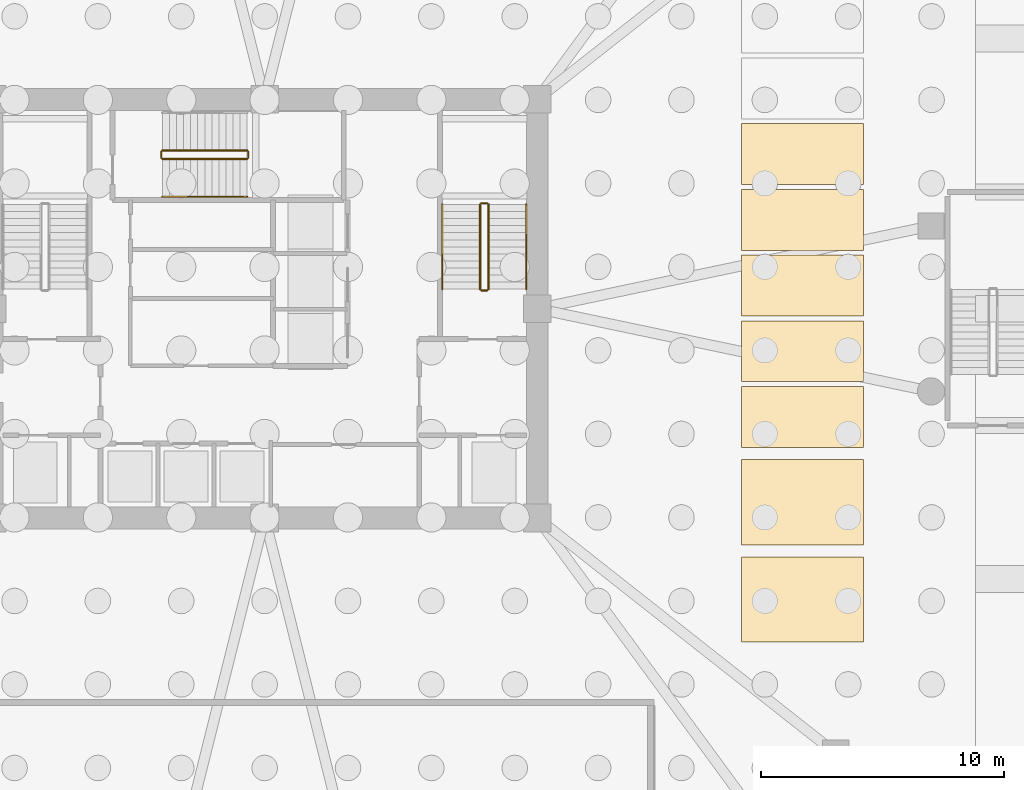
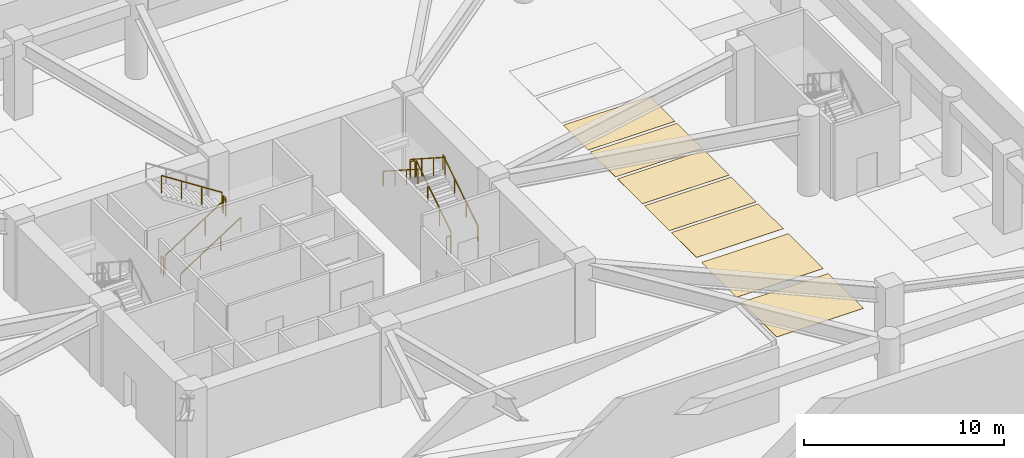
# One storey, part 8 of 11: 11 railings, 7 coverings.
"""IFC4 building model written with IfcOpenShell, lengths in metres."""

from ifc_helpers import new_model, si_unit, derived_unit, direction, frame, origin, origin_2d, place, context, subcontext, project, spatial, polyline, rectangle, outline, extrude, material, layer, layer_set, type_object, element, save


model = new_model("IFC4")

# Units and contexts
model_context = context("Model", 3, precision=1e-05, world=origin(), true_north=direction((0.0, 1.0)))
body_context = subcontext(model_context, "Body", "Model", "MODEL_VIEW")
ifc_project = project(units=[si_unit("LENGTHUNIT", "METRE"), si_unit("AREAUNIT", "SQUARE_METRE"), si_unit("VOLUMEUNIT", "CUBIC_METRE"), si_unit("PLANEANGLEUNIT", "RADIAN"), si_unit("MASSUNIT", "GRAM", prefix="KILO"), derived_unit("THERMALTRANSMITTANCEUNIT", [(si_unit("POWERUNIT", "WATT"), 1), (si_unit("LENGTHUNIT", "METRE"), -2), (si_unit("THERMODYNAMICTEMPERATUREUNIT", "KELVIN"), -1)])], contexts=[model_context])

# Site, building, storey
site_placement = place(None, origin())
site = spatial("IfcSite", under=ifc_project, at=site_placement, CompositionType="ELEMENT")
building_placement = place(site_placement, origin())
building = spatial("IfcBuilding", under=site, at=building_placement, Name="Koralith Skygarden Medical Center", CompositionType="ELEMENT")
storey_placement = place(building_placement, frame((0.0, 0.0, -9.719970703125)))
storey = spatial("IfcBuildingStorey", under=building, at=storey_placement, Name="B2", CompositionType="ELEMENT", Elevation=-9.719970703125)

# Coverings
ifc_material_1 = material(Name="Medical Terrazzo Flooring")
ifc_layer_1 = layer(ifc_material_1, 0.008056640625)
ifc_layer_set_1 = layer_set([ifc_layer_1], Name="Medical Terrazzo Flooring")
covering_type_1 = type_object("IfcCoveringType", Name="Accessible Van Parking Bay Marking 3500x5000", PredefinedType="FLOORING", material=ifc_layer_set_1)
covering_1_placement = place(storey_placement, origin())
element("IfcCovering", 1, at=covering_1_placement, inside=storey, type_object=covering_type_1, Name="B2 Accessible Parking Bay A-01", PredefinedType="FLOORING", context=body_context, shape_type="SweptSolid", body=[
    extrude(outline(polyline([(56.60009765625, 12.199951171875), (61.60009765625, 12.199951171875), (61.60009765625, 15.699951171875), (56.60009765625, 15.699951171875), (56.60009765625, 12.199951171875)])), origin(), (0.0, 0.0, 1.0), 0.008056640625),
])
covering_2_placement = place(storey_placement, origin())
element("IfcCovering", 2, at=covering_2_placement, inside=storey, type_object=covering_type_1, Name="B2 Accessible Parking Bay A-02", PredefinedType="FLOORING", context=body_context, shape_type="SweptSolid", body=[
    extrude(outline(polyline([(56.60009765625, 16.199951171875), (61.60009765625, 16.199951171875), (61.60009765625, 19.699951171875), (56.60009765625, 19.699951171875), (56.60009765625, 16.199951171875)])), origin(), (0.0, 0.0, 1.0), 0.008056640625),
])

# Railings
ifc_material_2 = material(Name="Steel ASTM A500 Grade C", Category="steel")
railing_type_1 = type_object("IfcRailingType", Name="Stair Flight Tubular Handrail 920", PredefinedType="HANDRAIL", material=ifc_material_2)
railing_1_placement = place(storey_placement, frame((47.75, 26.699951171875, 0.18701171875)))
element("IfcRailing", 3, at=railing_1_placement, inside=storey, type_object=railing_type_1, Name="B2 ST2 stair handrail 1", PredefinedType="HANDRAIL", context=body_context, shape_type="SweptSolid", body=[
    extrude(rectangle(XDim=0.050048828125, YDim=0.050048828125, at=origin_2d()), frame((0.0, 0.001708984375, 0.89599609375), z_axis=(0.0, 0.840541796355, 0.541746701495), x_axis=(-1.0, 0.0, 0.0)), (0.0, 0.0, 1.0), 4.13623046875),
    extrude(rectangle(XDim=0.0419921875, YDim=0.0419921875, at=origin_2d()), origin(), (0.0, 0.0, 1.0), 0.867919921875),
    extrude(rectangle(XDim=0.0419921875, YDim=0.0419921875, at=origin_2d()), frame((0.0, 1.159912109375, 0.74755859375)), (0.0, 0.0, 1.0), 0.867919921875),
    extrude(rectangle(XDim=0.0419921875, YDim=0.0419921875, at=origin_2d()), frame((0.0, 2.320068359375, 1.495361328125)), (0.0, 0.0, 1.0), 0.867919921875),
    extrude(rectangle(XDim=0.0419921875, YDim=0.0419921875, at=origin_2d()), frame((0.0, 3.47998046875, 2.242919921875)), (0.0, 0.0, 1.0), 0.867919921875),
])
railing_2_placement = place(storey_placement, frame((44.300048828125, 30.179931640625, 2.616943359375)))
element("IfcRailing", 4, at=railing_2_placement, inside=storey, type_object=railing_type_1, Name="B2 ST2 stair handrail 2", PredefinedType="HANDRAIL", context=body_context, shape_type="SweptSolid", body=[
    extrude(rectangle(XDim=0.050048828125, YDim=0.050048828125, at=origin_2d()), frame((0.0, -0.001708984375, 0.89599609375), z_axis=(0.0, -0.840541796355, 0.541746701495), x_axis=(1.0, 0.0, 0.0)), (0.0, 0.0, 1.0), 4.13623046875),
    extrude(rectangle(XDim=0.0419921875, YDim=0.0419921875, at=origin_2d()), origin(), (0.0, 0.0, 1.0), 0.867919921875),
    extrude(rectangle(XDim=0.0419921875, YDim=0.0419921875, at=origin_2d()), frame((0.0, -1.159912109375, 0.74755859375)), (0.0, 0.0, 1.0), 0.867919921875),
    extrude(rectangle(XDim=0.0419921875, YDim=0.0419921875, at=origin_2d()), frame((0.0, -2.320068359375, 1.495361328125)), (0.0, 0.0, 1.0), 0.867919921875),
    extrude(rectangle(XDim=0.0419921875, YDim=0.0419921875, at=origin_2d()), frame((0.0, -3.47998046875, 2.242919921875)), (0.0, 0.0, 1.0), 0.867919921875),
])
railing_3_placement = place(storey_placement, frame((32.800048828125, 30.5, 0.18701171875)))
element("IfcRailing", 5, at=railing_3_placement, inside=storey, type_object=railing_type_1, Name="B2 ST3 stair handrail 1", PredefinedType="HANDRAIL", context=body_context, shape_type="SweptSolid", body=[
    extrude(rectangle(XDim=0.050048828125, YDim=0.050048828125, at=origin_2d()), frame((0.001708984375, 0.0, 0.89599609375), z_axis=(0.840541796355, 0.0, 0.541746701495), x_axis=(0.0, 1.0, 0.0)), (0.0, 0.0, 1.0), 4.13623046875),
    extrude(rectangle(XDim=0.0419921875, YDim=0.0419921875, at=origin_2d()), origin(), (0.0, 0.0, 1.0), 0.867919921875),
    extrude(rectangle(XDim=0.0419921875, YDim=0.0419921875, at=origin_2d()), frame((1.159912109375, 0.0, 0.74755859375)), (0.0, 0.0, 1.0), 0.867919921875),
    extrude(rectangle(XDim=0.0419921875, YDim=0.0419921875, at=origin_2d()), frame((2.320068359375, 0.0, 1.495361328125)), (0.0, 0.0, 1.0), 0.867919921875),
    extrude(rectangle(XDim=0.0419921875, YDim=0.0419921875, at=origin_2d()), frame((3.47998046875, 0.0, 2.242919921875)), (0.0, 0.0, 1.0), 0.867919921875),
])
railing_type_2 = type_object("IfcRailingType", Name="Stair Well Safety Guardrail 1100", PredefinedType="GUARDRAIL", material=ifc_material_2)
railing_4_placement = place(storey_placement, frame((46.199951171875, 26.699951171875, 0.18701171875)))
element("IfcRailing", 6, at=railing_4_placement, inside=storey, type_object=railing_type_2, Name="B2 ST2 stair guard 1", PredefinedType="GUARDRAIL", context=body_context, shape_type="SweptSolid", body=[
    extrude(rectangle(XDim=0.050048828125, YDim=0.050048828125, at=origin_2d()), frame((0.0, 0.001708984375, 1.076171875), z_axis=(0.0, 0.840541796355, 0.541746701495), x_axis=(-1.0, 0.0, 0.0)), (0.0, 0.0, 1.0), 4.13623046875),
    extrude(rectangle(XDim=0.0419921875, YDim=0.0419921875, at=origin_2d()), origin(), (0.0, 0.0, 1.0), 1.048095703125),
    extrude(rectangle(XDim=0.0419921875, YDim=0.0419921875, at=origin_2d()), frame((0.0, 1.159912109375, 0.74755859375)), (0.0, 0.0, 1.0), 1.048095703125),
    extrude(rectangle(XDim=0.0419921875, YDim=0.0419921875, at=origin_2d()), frame((0.0, 2.320068359375, 1.495361328125)), (0.0, 0.0, 1.0), 1.048095703125),
    extrude(rectangle(XDim=0.0419921875, YDim=0.0419921875, at=origin_2d()), frame((0.0, 3.47998046875, 2.242919921875)), (0.0, 0.0, 1.0), 1.048095703125),
])
railing_5_placement = place(storey_placement, frame((46.14990234375, 30.22998046875, 2.429931640625)))
element("IfcRailing", 7, at=railing_5_placement, inside=storey, type_object=railing_type_2, Name="B2 ST2 stair guard 2", PredefinedType="GUARDRAIL", context=body_context, shape_type="SweptSolid", body=[
    extrude(rectangle(XDim=0.050048828125, YDim=0.050048828125, at=origin_2d()), frame((-0.001953125, 0.0, 1.0751953125), z_axis=(-1.0, 0.0, 0.0), x_axis=(0.0, -1.0, 0.0)), (0.0, 0.0, 1.0), 0.24609375),
    extrude(rectangle(XDim=0.0419921875, YDim=0.0419921875, at=origin_2d()), origin(), (0.0, 0.0, 1.0), 1.048095703125),
    extrude(rectangle(XDim=0.0419921875, YDim=0.0419921875, at=origin_2d()), frame((-0.25, 0.0, 0.0)), (0.0, 0.0, 1.0), 1.048095703125),
])
railing_6_placement = place(storey_placement, frame((45.85009765625, 30.179931640625, 2.616943359375)))
element("IfcRailing", 8, at=railing_6_placement, inside=storey, type_object=railing_type_2, Name="B2 ST2 stair guard 3", PredefinedType="GUARDRAIL", context=body_context, shape_type="SweptSolid", body=[
    extrude(rectangle(XDim=0.050048828125, YDim=0.050048828125, at=origin_2d()), frame((0.0, -0.001708984375, 1.076171875), z_axis=(0.0, -0.840541796355, 0.541746701495), x_axis=(1.0, 0.0, 0.0)), (0.0, 0.0, 1.0), 4.13623046875),
    extrude(rectangle(XDim=0.0419921875, YDim=0.0419921875, at=origin_2d()), origin(), (0.0, 0.0, 1.0), 1.048095703125),
    extrude(rectangle(XDim=0.0419921875, YDim=0.0419921875, at=origin_2d()), frame((0.0, -1.159912109375, 0.74755859375)), (0.0, 0.0, 1.0), 1.048095703125),
    extrude(rectangle(XDim=0.0419921875, YDim=0.0419921875, at=origin_2d()), frame((0.0, -2.320068359375, 1.495361328125)), (0.0, 0.0, 1.0), 1.048095703125),
    extrude(rectangle(XDim=0.0419921875, YDim=0.0419921875, at=origin_2d()), frame((0.0, -3.47998046875, 2.242919921875)), (0.0, 0.0, 1.0), 1.048095703125),
])
railing_7_placement = place(storey_placement, frame((46.14990234375, 26.64990234375, 0.0)))
element("IfcRailing", 9, at=railing_7_placement, inside=storey, type_object=railing_type_2, Name="B2 ST2 stair guard 4", PredefinedType="GUARDRAIL", context=body_context, shape_type="SweptSolid", body=[
    extrude(rectangle(XDim=0.050048828125, YDim=0.050048828125, at=origin_2d()), frame((-0.001953125, 0.0, 1.0751953125), z_axis=(-1.0, 0.0, 0.0), x_axis=(0.0, -1.0, 0.0)), (0.0, 0.0, 1.0), 0.24609375),
    extrude(rectangle(XDim=0.0419921875, YDim=0.0419921875, at=origin_2d()), origin(), (0.0, 0.0, 1.0), 1.048095703125),
    extrude(rectangle(XDim=0.0419921875, YDim=0.0419921875, at=origin_2d()), frame((-0.25, 0.0, 0.0)), (0.0, 0.0, 1.0), 1.048095703125),
])
railing_8_placement = place(storey_placement, frame((32.800048828125, 32.050048828125, 0.18701171875)))
element("IfcRailing", 10, at=railing_8_placement, inside=storey, type_object=railing_type_2, Name="B2 ST3 stair guard 1", PredefinedType="GUARDRAIL", context=body_context, shape_type="SweptSolid", body=[
    extrude(rectangle(XDim=0.050048828125, YDim=0.050048828125, at=origin_2d()), frame((0.001708984375, 0.0, 1.076171875), z_axis=(0.840541796355, 0.0, 0.541746701495), x_axis=(0.0, 1.0, 0.0)), (0.0, 0.0, 1.0), 4.13623046875),
    extrude(rectangle(XDim=0.0419921875, YDim=0.0419921875, at=origin_2d()), origin(), (0.0, 0.0, 1.0), 1.048095703125),
    extrude(rectangle(XDim=0.0419921875, YDim=0.0419921875, at=origin_2d()), frame((1.159912109375, 0.0, 0.74755859375)), (0.0, 0.0, 1.0), 1.048095703125),
    extrude(rectangle(XDim=0.0419921875, YDim=0.0419921875, at=origin_2d()), frame((2.320068359375, 0.0, 1.495361328125)), (0.0, 0.0, 1.0), 1.048095703125),
    extrude(rectangle(XDim=0.0419921875, YDim=0.0419921875, at=origin_2d()), frame((3.47998046875, 0.0, 2.242919921875)), (0.0, 0.0, 1.0), 1.048095703125),
])
railing_9_placement = place(storey_placement, frame((36.330078125, 32.10009765625, 2.429931640625)))
element("IfcRailing", 11, at=railing_9_placement, inside=storey, type_object=railing_type_2, Name="B2 ST3 stair guard 2", PredefinedType="GUARDRAIL", context=body_context, shape_type="SweptSolid", body=[
    extrude(rectangle(XDim=0.050048828125, YDim=0.050048828125, at=origin_2d()), frame((0.0, 0.001953125, 1.0751953125), z_axis=(0.0, 1.0, 0.0), x_axis=(-1.0, 0.0, 0.0)), (0.0, 0.0, 1.0), 0.24609375),
    extrude(rectangle(XDim=0.0419921875, YDim=0.0419921875, at=origin_2d()), origin(), (0.0, 0.0, 1.0), 1.048095703125),
    extrude(rectangle(XDim=0.0419921875, YDim=0.0419921875, at=origin_2d()), frame((0.0, 0.25, 0.0)), (0.0, 0.0, 1.0), 1.048095703125),
])
railing_10_placement = place(storey_placement, frame((36.280029296875, 32.39990234375, 2.616943359375)))
element("IfcRailing", 12, at=railing_10_placement, inside=storey, type_object=railing_type_2, Name="B2 ST3 stair guard 3", PredefinedType="GUARDRAIL", context=body_context, shape_type="SweptSolid", body=[
    extrude(rectangle(XDim=0.050048828125, YDim=0.050048828125, at=origin_2d()), frame((-0.001708984375, 0.0, 1.076171875), z_axis=(-0.840541796355, 0.0, 0.541746701495), x_axis=(0.0, -1.0, 0.0)), (0.0, 0.0, 1.0), 4.13623046875),
    extrude(rectangle(XDim=0.0419921875, YDim=0.0419921875, at=origin_2d()), origin(), (0.0, 0.0, 1.0), 1.048095703125),
    extrude(rectangle(XDim=0.0419921875, YDim=0.0419921875, at=origin_2d()), frame((-1.159912109375, 0.0, 0.74755859375)), (0.0, 0.0, 1.0), 1.048095703125),
    extrude(rectangle(XDim=0.0419921875, YDim=0.0419921875, at=origin_2d()), frame((-2.320068359375, 0.0, 1.495361328125)), (0.0, 0.0, 1.0), 1.048095703125),
    extrude(rectangle(XDim=0.0419921875, YDim=0.0419921875, at=origin_2d()), frame((-3.47998046875, 0.0, 2.242919921875)), (0.0, 0.0, 1.0), 1.048095703125),
])
railing_11_placement = place(storey_placement, frame((32.75, 32.10009765625, 0.0)))
element("IfcRailing", 13, at=railing_11_placement, inside=storey, type_object=railing_type_2, Name="B2 ST3 stair guard 4", PredefinedType="GUARDRAIL", context=body_context, shape_type="SweptSolid", body=[
    extrude(rectangle(XDim=0.050048828125, YDim=0.050048828125, at=origin_2d()), frame((0.0, 0.001953125, 1.0751953125), z_axis=(0.0, 1.0, 0.0), x_axis=(-1.0, 0.0, 0.0)), (0.0, 0.0, 1.0), 0.24609375),
    extrude(rectangle(XDim=0.0419921875, YDim=0.0419921875, at=origin_2d()), origin(), (0.0, 0.0, 1.0), 1.048095703125),
    extrude(rectangle(XDim=0.0419921875, YDim=0.0419921875, at=origin_2d()), frame((0.0, 0.25, 0.0)), (0.0, 0.0, 1.0), 1.048095703125),
])

# Coverings
ifc_layer_2 = layer(ifc_material_1, 0.008056640625)
ifc_layer_set_2 = layer_set([ifc_layer_2], Name="Medical Terrazzo Flooring")
covering_type_2 = type_object("IfcCoveringType", Name="Standard Car Park Bay Marking 2500x5000", PredefinedType="FLOORING", material=ifc_layer_set_2)
covering_3_placement = place(storey_placement, origin())
element("IfcCovering", 14, at=covering_3_placement, inside=storey, type_object=covering_type_2, Name="B2 Standard Parking Bay P-01", PredefinedType="FLOORING", context=body_context, shape_type="SweptSolid", body=[
    extrude(outline(polyline([(56.60009765625, 20.199951171875), (61.60009765625, 20.199951171875), (61.60009765625, 22.699951171875), (56.60009765625, 22.699951171875), (56.60009765625, 20.199951171875)])), origin(), (0.0, 0.0, 1.0), 0.008056640625),
])
covering_4_placement = place(storey_placement, origin())
element("IfcCovering", 15, at=covering_4_placement, inside=storey, type_object=covering_type_2, Name="B2 Standard Parking Bay P-02", PredefinedType="FLOORING", context=body_context, shape_type="SweptSolid", body=[
    extrude(outline(polyline([(56.60009765625, 22.89990234375), (61.60009765625, 22.89990234375), (61.60009765625, 25.39990234375), (56.60009765625, 25.39990234375), (56.60009765625, 22.89990234375)])), origin(), (0.0, 0.0, 1.0), 0.008056640625),
])
covering_5_placement = place(storey_placement, origin())
element("IfcCovering", 16, at=covering_5_placement, inside=storey, type_object=covering_type_2, Name="B2 Standard Parking Bay P-03", PredefinedType="FLOORING", context=body_context, shape_type="SweptSolid", body=[
    extrude(outline(polyline([(56.60009765625, 25.60009765625), (61.60009765625, 25.60009765625), (61.60009765625, 28.10009765625), (56.60009765625, 28.10009765625), (56.60009765625, 25.60009765625)])), origin(), (0.0, 0.0, 1.0), 0.008056640625),
])
covering_6_placement = place(storey_placement, origin())
element("IfcCovering", 17, at=covering_6_placement, inside=storey, type_object=covering_type_2, Name="B2 Standard Parking Bay P-04", PredefinedType="FLOORING", context=body_context, shape_type="SweptSolid", body=[
    extrude(outline(polyline([(56.60009765625, 28.300048828125), (61.60009765625, 28.300048828125), (61.60009765625, 30.800048828125), (56.60009765625, 30.800048828125), (56.60009765625, 28.300048828125)])), origin(), (0.0, 0.0, 1.0), 0.008056640625),
])
covering_7_placement = place(storey_placement, origin())
element("IfcCovering", 18, at=covering_7_placement, inside=storey, type_object=covering_type_2, Name="B2 Standard Parking Bay P-05", PredefinedType="FLOORING", context=body_context, shape_type="SweptSolid", body=[
    extrude(outline(polyline([(56.60009765625, 31.0), (61.60009765625, 31.0), (61.60009765625, 33.5), (56.60009765625, 33.5), (56.60009765625, 31.0)])), origin(), (0.0, 0.0, 1.0), 0.008056640625),
])

save(model, "model.ifc")
